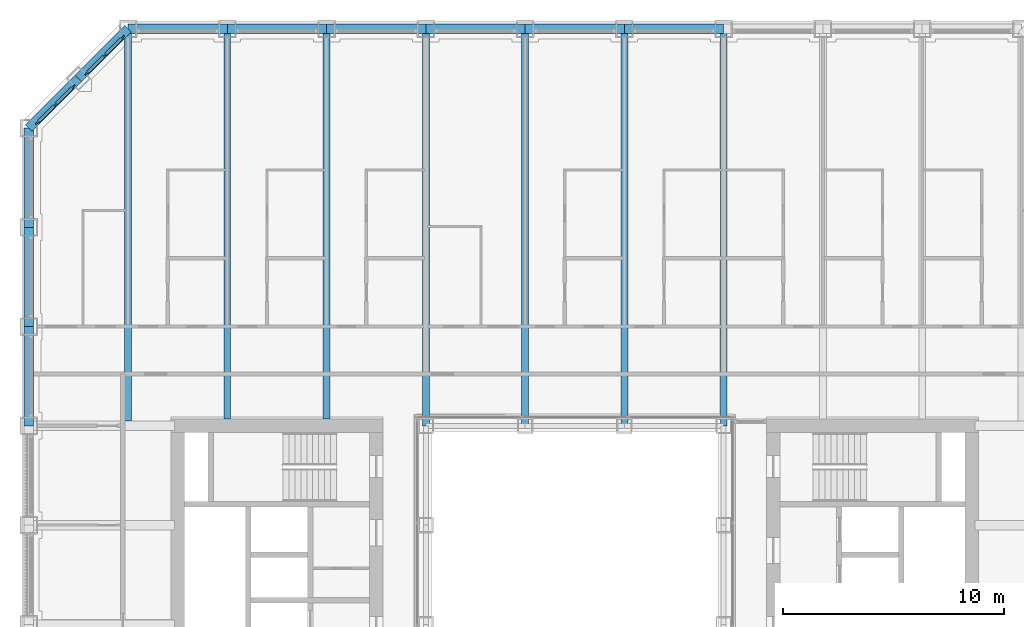
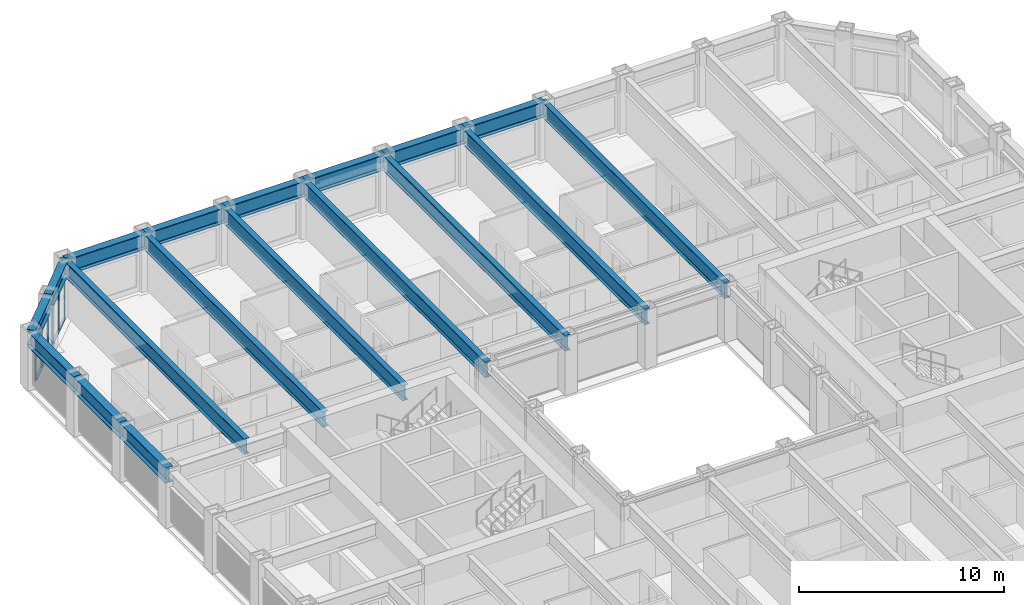
# One storey, part 6 of 21: 18 beams, 14 members, 2 elements without a shape of their own.
"""IFC4 building model written with IfcOpenShell, lengths in metres."""

import ifcopenshell
import ifcopenshell.guid

model = None  # the IFC model being written
_history = None  # IfcOwnerHistory: only IFC2X3 demands one
_inside = {}  # id of a spatial element -> (the spatial element, [elements in it])
_under = {}  # id of a project, library or spatial element -> (it, [spatial elements below it])
_declared = {}  # id of a project -> (the project, [libraries it declares])
_typed = {}  # id of a type object -> (the type object, [elements of that type])
_made_of = {}  # id of a material, layer set ... -> (it, [elements and type objects made of it])


def new_model(schema):
    """Start an empty IFC model of exactly this schema.

    Asked for "IFC4X3", IfcOpenShell would pick the latest addendum, in which some entities
    have other attributes; the version numbers below select the first issue.
    IFC2X3 requires an IfcOwnerHistory on every rooted entity: one is made here for all.
    """
    global model, _history
    if schema == "IFC4X3":
        model = ifcopenshell.file(schema_version=(4, 3, 0, 0))
    else:
        model = ifcopenshell.file(schema=schema)
    _inside.clear()
    _under.clear()
    _declared.clear()
    _typed.clear()
    _made_of.clear()
    _history = None
    if model.schema == "IFC2X3":
        org = make("IfcOrganization", Name="unknown")
        user = make(
            "IfcPersonAndOrganization",
            ThePerson=make("IfcPerson", FamilyName="unknown"),
            TheOrganization=org,
        )
        app = make(
            "IfcApplication",
            ApplicationDeveloper=org,
            Version="unknown",
            ApplicationFullName="unknown",
            ApplicationIdentifier="unknown",
        )
        _history = make(
            "IfcOwnerHistory",
            OwningUser=user,
            OwningApplication=app,
            ChangeAction="ADDED",
            CreationDate=0,
        )
    return model


def make(cls, **values):
    """One entity of the class cls with the attributes given. An attribute that is None is left unset."""
    return model.create_entity(
        cls, **{name: value for name, value in values.items() if value is not None}
    )


def rooted(cls, **values):
    """An entity with a GlobalId (a new one), such as an element, a storey or a relation."""
    return make(cls, GlobalId=ifcopenshell.guid.new(), OwnerHistory=_history, **values)


def si_unit(unit_type, name, prefix=None):
    """IfcSIUnit, for example si_unit("LENGTHUNIT", "METRE", prefix="MILLI")."""
    return make("IfcSIUnit", UnitType=unit_type, Prefix=prefix, Name=name)


def assignment(units):
    """IfcUnitAssignment: the units of a project."""
    return None if units is None else make("IfcUnitAssignment", Units=units)


def point(xyz):
    """IfcCartesianPoint."""
    return None if xyz is None else make("IfcCartesianPoint", Coordinates=xyz)


def direction(xyz):
    """IfcDirection."""
    return None if xyz is None else make("IfcDirection", DirectionRatios=xyz)


def frame(location, z_axis=None, x_axis=None):
    """IfcAxis2Placement3D, a coordinate frame: its origin and axes. An axis left out is left unset."""
    return make(
        "IfcAxis2Placement3D",
        Location=point(location),
        Axis=direction(z_axis),
        RefDirection=direction(x_axis),
    )


def frame_2d(location, x_axis=None):
    """IfcAxis2Placement2D, a coordinate frame in the plane: its origin and x axis."""
    return make(
        "IfcAxis2Placement2D", Location=point(location), RefDirection=direction(x_axis)
    )


def origin():
    """The frame at (0, 0, 0) with its axes left unset."""
    return frame((0.0, 0.0, 0.0))


def origin_2d():
    """The frame at (0, 0) in the plane with its x axis left unset."""
    return frame_2d((0.0, 0.0))


def place(relative_to, where):
    """IfcLocalPlacement: puts the frame where relative to a parent placement (None: the world)."""
    return make(
        "IfcLocalPlacement", PlacementRelTo=relative_to, RelativePlacement=where
    )


def context(
    kind, dimensions, precision=None, world=None, true_north=None, identifier=None
):
    """IfcGeometricRepresentationContext, for example the 3D "Model" context."""
    return make(
        "IfcGeometricRepresentationContext",
        ContextIdentifier=identifier,
        ContextType=kind,
        CoordinateSpaceDimension=dimensions,
        Precision=precision,
        WorldCoordinateSystem=world,
        TrueNorth=true_north,
    )


def subcontext(parent, identifier, kind, view, scale=None):
    """IfcGeometricRepresentationSubContext, for example "Body" below "Model"."""
    return make(
        "IfcGeometricRepresentationSubContext",
        ContextIdentifier=identifier,
        ContextType=kind,
        ParentContext=parent,
        TargetScale=scale,
        TargetView=view,
    )


def project(units=None, contexts=None):
    """IfcProject with its units and contexts."""
    return rooted(
        "IfcProject",
        Name="project",
        RepresentationContexts=contexts,
        UnitsInContext=assignment(units),
    )


def spatial(cls, under=None, at=None, **own):
    """A site, building, storey or space (cls), placed at a placement, below another one or the project."""
    s = rooted(cls, ObjectPlacement=at, **own)
    if under is not None:
        _under.setdefault(under.id(), (under, []))[1].append(s)
    return s


def profile(cls, at=None, kind="AREA", **sizes):
    """A parametric profile (cls). Its sizes go by their IFC names, for example OverallWidth=200.0."""
    return make(cls, ProfileType=kind, Position=at, **sizes)


def rectangle(**sizes):
    """IfcRectangleProfileDef."""
    return profile("IfcRectangleProfileDef", **sizes)


def i_section(**sizes):
    """IfcIShapeProfileDef."""
    return profile("IfcIShapeProfileDef", **sizes)


def extrude(swept, where, along, depth):
    """IfcExtrudedAreaSolid: the profile swept, set in the frame where, extruded along a direction by depth."""
    return make(
        "IfcExtrudedAreaSolid",
        SweptArea=swept,
        Position=where,
        ExtrudedDirection=direction(along),
        Depth=depth,
    )


def shape(context_of_items, identifier, shape_type, items):
    """IfcShapeRepresentation: the items that make up one representation, for example the "Body"."""
    return make(
        "IfcShapeRepresentation",
        ContextOfItems=context_of_items,
        RepresentationIdentifier=identifier,
        RepresentationType=shape_type,
        Items=items,
    )


def material(Name=None, Category=None):
    """IfcMaterial."""
    return make("IfcMaterial", Name=Name, Category=Category)


def material_profile(
    of_material, cross_section, Name=None, Category=None, Priority=None
):
    """IfcMaterialProfile: a cross section and its material."""
    return make(
        "IfcMaterialProfile",
        Name=Name,
        Material=of_material,
        Profile=cross_section,
        Priority=Priority,
        Category=Category,
    )


def profile_set(profiles, Name=None, composite=None):
    """IfcMaterialProfileSet."""
    return make(
        "IfcMaterialProfileSet",
        Name=Name,
        MaterialProfiles=profiles,
        CompositeProfile=composite,
    )


def made_of(thing, what):
    """Note that an element or type object is made of a material, layer set ...; save() writes the relation."""
    if what is not None:
        _made_of.setdefault(what.id(), (what, []))[1].append(thing)
    return thing


def type_object(cls, material=None, **own):
    """A type object (cls), such as IfcWallType, which elements share."""
    return made_of(rooted(cls, **own), material)


def element(
    cls,
    number,
    at=None,
    inside=None,
    cuts=None,
    type_object=None,
    material=None,
    context=None,
    identifier="Body",
    shape_type=None,
    held_by="IfcProductDefinitionShape",
    body=None,
    shapes=None,
    **own,
):
    """One element of the class cls, such as IfcWall. Its Tag is "e" and its number.

    at: its placement. inside: the storey or other place that contains it. cuts: it is an
    opening in that element (IfcRelVoidsElement). A single representation is given by context,
    identifier, shape_type and body (its items); several are given by shapes. held_by: the class
    of the entity that holds the representations. save() writes the other relations.
    """
    e = rooted(cls, Tag="e%d" % number, ObjectPlacement=at, **own)
    if body is not None:
        shapes = [shape(context, identifier, shape_type, body)]
    if shapes is not None:
        e.Representation = make(held_by, Representations=shapes)
    if inside is not None:
        _inside.setdefault(inside.id(), (inside, []))[1].append(e)
    if cuts is not None:
        rooted(
            "IfcRelVoidsElement", RelatingBuildingElement=cuts, RelatedOpeningElement=e
        )
    if type_object is not None:
        _typed.setdefault(type_object.id(), (type_object, []))[1].append(e)
    return made_of(e, material)


def aggregate(whole, parts):
    """IfcRelAggregates: a whole, such as a stair, and the parts it consists of."""
    return rooted("IfcRelAggregates", RelatingObject=whole, RelatedObjects=parts)


def save(model, path):
    """Write the relations noted so far, then the file.

    IfcRelAggregates (storeys below a building ...), IfcRelContainedInSpatialStructure (elements
    in a storey), IfcRelDefinesByType, IfcRelAssociatesMaterial and IfcRelDeclares: one each for
    every whole, place, type object, material and project.
    """
    for whole, parts in _under.values():
        aggregate(whole, parts)
    for where, things in _inside.values():
        rooted(
            "IfcRelContainedInSpatialStructure",
            RelatedElements=things,
            RelatingStructure=where,
        )
    for kind, things in _typed.values():
        rooted("IfcRelDefinesByType", RelatedObjects=things, RelatingType=kind)
    for what, things in _made_of.values():
        rooted("IfcRelAssociatesMaterial", RelatedObjects=things, RelatingMaterial=what)
    for by, libraries in _declared.values():
        rooted("IfcRelDeclares", RelatingContext=by, RelatedDefinitions=libraries)
    model.write(path)


model = new_model("IFC4")

# Units and contexts
model_context = context("Model", 3, precision=1e-05, world=origin(), true_north=direction((0.0, 1.0)))
body_context = subcontext(model_context, "Body", "Model", "MODEL_VIEW")
ifc_project = project(units=[si_unit("LENGTHUNIT", "METRE"), si_unit("AREAUNIT", "SQUARE_METRE"), si_unit("VOLUMEUNIT", "CUBIC_METRE"), si_unit("PLANEANGLEUNIT", "RADIAN"), si_unit("MASSUNIT", "GRAM", prefix="KILO")], contexts=[model_context])

# Site, building, storey
site_placement = place(None, origin())
site = spatial("IfcSite", under=ifc_project, at=site_placement, CompositionType="ELEMENT")
building_placement = place(site_placement, origin())
building = spatial("IfcBuilding", under=site, at=building_placement, Name="Msasa Ring Tower", CompositionType="ELEMENT")
storey_placement = place(building_placement, frame((0.0, 0.0, 75.5)))
storey = spatial("IfcBuildingStorey", under=building, at=storey_placement, Name="L19", CompositionType="ELEMENT", Elevation=75.5)

# Curtain wall, members
ifc_material_1 = material(Name="Aluminium curtain wall with clear glass", Category="aluminium")
curtain_wall_type = type_object("IfcCurtainWallType", Name="CW-C CHAMFER CORNER CURTAIN WALL", PredefinedType="NOTDEFINED", material=ifc_material_1)
curtain_wall_1_placement = place(storey_placement, origin())
curtain_wall_1 = element("IfcCurtainWall", 1, at=curtain_wall_1_placement, inside=storey, type_object=curtain_wall_type, Name="Chamfer corner curtain wall NW L19", PredefinedType="NOTDEFINED")
ifc_material_2 = material(Name="Aluminium mullion", Category="aluminium")
ifc_material_profile_1 = material_profile(ifc_material_2, rectangle(XDim=0.06494140625, YDim=0.179931640625, at=origin_2d()), Name="AL 65x180")
ifc_profile_set_1 = profile_set([ifc_material_profile_1], Name="Aluminium mullion")
member_type_1 = type_object("IfcMemberType", Name="CW-C MULLION 65x180", PredefinedType="MULLION", material=ifc_profile_set_1)
member_1_placement = place(storey_placement, frame((-22.73876953125, 22.119873046875, 0.0), z_axis=(0.0, 0.0, 1.0), x_axis=(0.707106781187, -0.707106781187, 0.0)))
member_1 = element("IfcMember", 2, at=member_1_placement, type_object=member_type_1, Name="CW-C mullion 1", PredefinedType="MULLION", context=body_context, shape_type="SweptSolid", body=[
    extrude(rectangle(XDim=0.06494140625, YDim=0.179931640625, at=origin_2d()), origin(), (0.0, 0.0, 1.0), 2.37890625),
])
member_2_placement = place(storey_placement, frame((-23.55419921875, 21.30419921875, 0.0), z_axis=(0.0, 0.0, 1.0), x_axis=(0.707106781187, -0.707106781187, 0.0)))
member_2 = element("IfcMember", 3, at=member_2_placement, type_object=member_type_1, Name="CW-C mullion 2", PredefinedType="MULLION", context=body_context, shape_type="SweptSolid", body=[
    extrude(rectangle(XDim=0.06494140625, YDim=0.179931640625, at=origin_2d()), origin(), (0.0, 0.0, 1.0), 2.37890625),
])
member_3_placement = place(storey_placement, frame((-24.369873046875, 20.48876953125, 0.0), z_axis=(0.0, 0.0, 1.0), x_axis=(0.707106781187, -0.707106781187, 0.0)))
member_3 = element("IfcMember", 4, at=member_3_placement, type_object=member_type_1, Name="CW-C mullion 3", PredefinedType="MULLION", context=body_context, shape_type="SweptSolid", body=[
    extrude(rectangle(XDim=0.06494140625, YDim=0.179931640625, at=origin_2d()), origin(), (0.0, 0.0, 1.0), 2.37890625),
])

curtain_wall_2_placement = place(storey_placement, origin())
curtain_wall_2 = element("IfcCurtainWall", 5, at=curtain_wall_2_placement, inside=storey, type_object=curtain_wall_type, Name="Chamfer corner curtain wall NW L19", PredefinedType="NOTDEFINED")
member_4_placement = place(storey_placement, frame((-20.48876953125, 24.369873046875, 0.0), z_axis=(0.0, 0.0, 1.0), x_axis=(0.707106781187, -0.707106781187, 0.0)))
member_4 = element("IfcMember", 6, at=member_4_placement, type_object=member_type_1, Name="CW-C mullion 1", PredefinedType="MULLION", context=body_context, shape_type="SweptSolid", body=[
    extrude(rectangle(XDim=0.06494140625, YDim=0.179931640625, at=origin_2d()), origin(), (0.0, 0.0, 1.0), 2.37890625),
])
member_5_placement = place(storey_placement, frame((-21.30419921875, 23.55419921875, 0.0), z_axis=(0.0, 0.0, 1.0), x_axis=(0.707106781187, -0.707106781187, 0.0)))
member_5 = element("IfcMember", 7, at=member_5_placement, type_object=member_type_1, Name="CW-C mullion 2", PredefinedType="MULLION", context=body_context, shape_type="SweptSolid", body=[
    extrude(rectangle(XDim=0.06494140625, YDim=0.179931640625, at=origin_2d()), origin(), (0.0, 0.0, 1.0), 2.37890625),
])
member_6_placement = place(storey_placement, frame((-22.119873046875, 22.73876953125, 0.0), z_axis=(0.0, 0.0, 1.0), x_axis=(0.707106781187, -0.707106781187, 0.0)))
member_6 = element("IfcMember", 8, at=member_6_placement, type_object=member_type_1, Name="CW-C mullion 3", PredefinedType="MULLION", context=body_context, shape_type="SweptSolid", body=[
    extrude(rectangle(XDim=0.06494140625, YDim=0.179931640625, at=origin_2d()), origin(), (0.0, 0.0, 1.0), 2.37890625),
])

# Member
ifc_material_3 = material(Name="Aluminium transom", Category="aluminium")
ifc_material_profile_2 = material_profile(ifc_material_3, rectangle(XDim=0.139892578125, YDim=0.06494140625, at=origin_2d()), Name="AL 65x140")
ifc_profile_set_2 = profile_set([ifc_material_profile_2], Name="Aluminium transom")
member_type_2 = type_object("IfcMemberType", Name="CW-C TRANSOM 65x140", PredefinedType="USERDEFINED", material=ifc_profile_set_2)
member_7_placement = place(storey_placement, frame((-22.76171875, 22.096923828125, 0.032470703125), z_axis=(-0.707106781187, -0.707106781187, 0.0), x_axis=(0.707106781187, -0.707106781187, 0.0)))
member_7 = element("IfcMember", 9, at=member_7_placement, type_object=member_type_2, Name="CW-C transom 1.1", ObjectType="TRANSOM", PredefinedType="USERDEFINED", context=body_context, shape_type="SweptSolid", body=[
    extrude(rectangle(XDim=0.139892578125, YDim=0.06494140625, at=origin_2d()), origin(), (0.0, 0.0, 1.0), 1.08837890625),
])

member_8_placement = place(storey_placement, frame((-22.76171875, 22.096923828125, 2.346435546875), z_axis=(-0.707106781187, -0.707106781187, 0.0), x_axis=(0.707106781187, -0.707106781187, 0.0)))
member_8 = element("IfcMember", 10, at=member_8_placement, type_object=member_type_2, Name="CW-C transom 1.2", ObjectType="TRANSOM", PredefinedType="USERDEFINED", context=body_context, shape_type="SweptSolid", body=[
    extrude(rectangle(XDim=0.139892578125, YDim=0.06494140625, at=origin_2d()), origin(), (0.0, 0.0, 1.0), 1.08837890625),
])

member_9_placement = place(storey_placement, frame((-23.577392578125, 21.28125, 0.032470703125), z_axis=(-0.707106781187, -0.707106781187, 0.0), x_axis=(0.707106781187, -0.707106781187, 0.0)))
member_9 = element("IfcMember", 11, at=member_9_placement, type_object=member_type_2, Name="CW-C transom 2.1", ObjectType="TRANSOM", PredefinedType="USERDEFINED", context=body_context, shape_type="SweptSolid", body=[
    extrude(rectangle(XDim=0.139892578125, YDim=0.06494140625, at=origin_2d()), origin(), (0.0, 0.0, 1.0), 1.08837890625),
])

member_10_placement = place(storey_placement, frame((-23.577392578125, 21.28125, 2.346435546875), z_axis=(-0.707106781187, -0.707106781187, 0.0), x_axis=(0.707106781187, -0.707106781187, 0.0)))
member_10 = element("IfcMember", 12, at=member_10_placement, type_object=member_type_2, Name="CW-C transom 2.2", ObjectType="TRANSOM", PredefinedType="USERDEFINED", context=body_context, shape_type="SweptSolid", body=[
    extrude(rectangle(XDim=0.139892578125, YDim=0.06494140625, at=origin_2d()), origin(), (0.0, 0.0, 1.0), 1.08837890625),
])

aggregate(curtain_wall_1, [member_1, member_2, member_3, member_7, member_8, member_9, member_10])

member_11_placement = place(storey_placement, frame((-20.51171875, 24.346923828125, 0.032470703125), z_axis=(-0.707106781187, -0.707106781187, 0.0), x_axis=(0.707106781187, -0.707106781187, 0.0)))
member_11 = element("IfcMember", 13, at=member_11_placement, type_object=member_type_2, Name="CW-C transom 1.1", ObjectType="TRANSOM", PredefinedType="USERDEFINED", context=body_context, shape_type="SweptSolid", body=[
    extrude(rectangle(XDim=0.139892578125, YDim=0.06494140625, at=origin_2d()), origin(), (0.0, 0.0, 1.0), 1.08837890625),
])

member_12_placement = place(storey_placement, frame((-20.51171875, 24.346923828125, 2.346435546875), z_axis=(-0.707106781187, -0.707106781187, 0.0), x_axis=(0.707106781187, -0.707106781187, 0.0)))
member_12 = element("IfcMember", 14, at=member_12_placement, type_object=member_type_2, Name="CW-C transom 1.2", ObjectType="TRANSOM", PredefinedType="USERDEFINED", context=body_context, shape_type="SweptSolid", body=[
    extrude(rectangle(XDim=0.139892578125, YDim=0.06494140625, at=origin_2d()), origin(), (0.0, 0.0, 1.0), 1.08837890625),
])

member_13_placement = place(storey_placement, frame((-21.327392578125, 23.53125, 0.032470703125), z_axis=(-0.707106781187, -0.707106781187, 0.0), x_axis=(0.707106781187, -0.707106781187, 0.0)))
member_13 = element("IfcMember", 15, at=member_13_placement, type_object=member_type_2, Name="CW-C transom 2.1", ObjectType="TRANSOM", PredefinedType="USERDEFINED", context=body_context, shape_type="SweptSolid", body=[
    extrude(rectangle(XDim=0.139892578125, YDim=0.06494140625, at=origin_2d()), origin(), (0.0, 0.0, 1.0), 1.08837890625),
])

member_14_placement = place(storey_placement, frame((-21.327392578125, 23.53125, 2.346435546875), z_axis=(-0.707106781187, -0.707106781187, 0.0), x_axis=(0.707106781187, -0.707106781187, 0.0)))
member_14 = element("IfcMember", 16, at=member_14_placement, type_object=member_type_2, Name="CW-C transom 2.2", ObjectType="TRANSOM", PredefinedType="USERDEFINED", context=body_context, shape_type="SweptSolid", body=[
    extrude(rectangle(XDim=0.139892578125, YDim=0.06494140625, at=origin_2d()), origin(), (0.0, 0.0, 1.0), 1.08837890625),
])

aggregate(curtain_wall_2, [member_4, member_5, member_6, member_11, member_12, member_13, member_14])

# Beams
ifc_material_4 = material(Name="Steel S355", Category="steel")
ifc_material_profile_3 = material_profile(ifc_material_4, i_section(OverallWidth=0.3076171875, OverallDepth=0.926513671875, WebThickness=0.01953125, FlangeThickness=0.031982421875, FilletRadius=0.01904296875, at=origin_2d()), Name="UB 914x305x289")
ifc_profile_set_3 = profile_set([ifc_material_profile_3], Name="Steel S355")
beam_type_1 = type_object("IfcBeamType", Name="FB3 UB 914x305x289", PredefinedType="BEAM", material=ifc_profile_set_3)
beam_placement = place(storey_placement, frame((-20.25, 24.75, 2.836669921875), z_axis=(0.0, -1.0, 0.0), x_axis=(1.0, 0.0, 0.0)))
element("IfcBeam", 17, at=beam_placement, inside=storey, type_object=beam_type_1, Name="Floor beam N-20.25 under L20", PredefinedType="BEAM", context=body_context, shape_type="SweptSolid", body=[
    extrude(i_section(OverallWidth=0.3076171875, OverallDepth=0.926513671875, WebThickness=0.01953125, FlangeThickness=0.031982421875, FilletRadius=0.01904296875, at=origin_2d()), origin(), (0.0, 0.0, 1.0), 17.789794921875),
])
for number, where, z_axis, x_axis, name in (
    (18, (-15.75, 24.75, 2.836669921875), (0.0, -1.0, 0.0), (1.0, 0.0, 0.0), "Floor beam N-15.75 under L20"),
    (19, (-11.25, 24.75, 2.836669921875), (0.0, -1.0, 0.0), (1.0, 0.0, 0.0), "Floor beam N-11.25 under L20"),
):
    element("IfcBeam", number, at=place(storey_placement, frame(where, z_axis=z_axis, x_axis=x_axis)), inside=storey, type_object=beam_type_1, Name=name, PredefinedType="BEAM", context=body_context, shape_type="SweptSolid", body=[
        extrude(i_section(OverallWidth=0.3076171875, OverallDepth=0.926513671875, WebThickness=0.01953125, FlangeThickness=0.031982421875, FilletRadius=0.01904296875, at=origin_2d()), origin(), (0.0, 0.0, 1.0), 17.699951171875),
    ])
for number, where, z_axis, x_axis, name in (
    (20, (-6.75, 24.75, 2.836669921875), (0.0, -1.0, 0.0), (1.0, 0.0, 0.0), "Floor beam N-6.75 under L20"),
    (21, (-2.25, 24.75, 2.836669921875), (0.0, -1.0, 0.0), (1.0, 0.0, 0.0), "Floor beam N-2.25 under L20"),
    (22, (2.25, 24.75, 2.836669921875), (0.0, -1.0, 0.0), (1.0, 0.0, 0.0), "Floor beam N+2.25 under L20"),
    (23, (6.75, 24.75, 2.836669921875), (0.0, -1.0, 0.0), (1.0, 0.0, 0.0), "Floor beam N+6.75 under L20"),
):
    element("IfcBeam", number, at=place(storey_placement, frame(where, z_axis=z_axis, x_axis=x_axis)), inside=storey, type_object=beam_type_1, Name=name, PredefinedType="BEAM", context=body_context, shape_type="SweptSolid", body=[
        extrude(i_section(OverallWidth=0.3076171875, OverallDepth=0.926513671875, WebThickness=0.01953125, FlangeThickness=0.031982421875, FilletRadius=0.01904296875, at=origin_2d()), origin(), (0.0, 0.0, 1.0), 18.0),
    ])
ifc_material_5 = material(Name="Steel S355", Category="steel")
ifc_material_profile_4 = material_profile(ifc_material_5, i_section(OverallWidth=0.42041015625, OverallDepth=0.9208984375, WebThickness=0.021484375, FlangeThickness=0.03662109375, FilletRadius=0.024169921875, at=origin_2d()), Name="UB 914x419x388")
ifc_profile_set_4 = profile_set([ifc_material_profile_4], Name="Steel S355")
beam_type_2 = type_object("IfcBeamType", Name="SB1 UB 914x419x388", PredefinedType="SPANDREL", material=ifc_profile_set_4)
for number, where, z_axis, x_axis, name in (
    (24, (6.75, 24.75, 2.839599609375), (-1.0, 0.0, 0.0), (0.0, -1.0, 0.0), "Spandrel N+6.75 to N+2.25 under L20"),
    (25, (2.25, 24.75, 2.839599609375), (-1.0, 0.0, 0.0), (0.0, -1.0, 0.0), "Spandrel N+2.25 to N-2.25 under L20"),
    (26, (-2.25, 24.75, 2.839599609375), (-1.0, 0.0, 0.0), (0.0, -1.0, 0.0), "Spandrel N-2.25 to N-6.75 under L20"),
    (27, (-6.75, 24.75, 2.839599609375), (-1.0, 0.0, 0.0), (0.0, -1.0, 0.0), "Spandrel N-6.75 to N-11.25 under L20"),
    (28, (-11.25, 24.75, 2.839599609375), (-1.0, 0.0, 0.0), (0.0, -1.0, 0.0), "Spandrel N-11.25 to N-15.75 under L20"),
    (29, (-15.75, 24.75, 2.839599609375), (-1.0, 0.0, 0.0), (0.0, -1.0, 0.0), "Spandrel N-15.75 to N-20.25 under L20"),
):
    element("IfcBeam", number, at=place(storey_placement, frame(where, z_axis=z_axis, x_axis=x_axis)), inside=storey, type_object=beam_type_2, Name=name, PredefinedType="SPANDREL", context=body_context, shape_type="SweptSolid", body=[
        extrude(i_section(OverallWidth=0.42041015625, OverallDepth=0.9208984375, WebThickness=0.021484375, FlangeThickness=0.03662109375, FilletRadius=0.024169921875, at=origin_2d()), origin(), (0.0, 0.0, 1.0), 4.5),
    ])
for number, where, z_axis, x_axis, name in (
    (30, (-20.25, 24.75, 2.839599609375), (-0.707106781187, -0.707106781187, 0.0), (0.707106781187, -0.707106781187, 0.0), "Spandrel N-20.25 to NW under L20"),
    (31, (-22.5, 22.5, 2.839599609375), (-0.707106781187, -0.707106781187, 0.0), (0.707106781187, -0.707106781187, 0.0), "Spandrel NW to W+20.25 under L20"),
):
    element("IfcBeam", number, at=place(storey_placement, frame(where, z_axis=z_axis, x_axis=x_axis)), inside=storey, type_object=beam_type_2, Name=name, PredefinedType="SPANDREL", context=body_context, shape_type="SweptSolid", body=[
        extrude(i_section(OverallWidth=0.42041015625, OverallDepth=0.9208984375, WebThickness=0.021484375, FlangeThickness=0.03662109375, FilletRadius=0.024169921875, at=origin_2d()), origin(), (0.0, 0.0, 1.0), 3.181884765625),
    ])
for number, where, z_axis, x_axis, name in (
    (32, (-24.75, 20.25, 2.839599609375), (0.0, -1.0, 0.0), (1.0, 0.0, 0.0), "Spandrel W+20.25 to W+15.75 under L20"),
    (33, (-24.75, 15.75, 2.839599609375), (0.0, -1.0, 0.0), (1.0, 0.0, 0.0), "Spandrel W+15.75 to W+11.25 under L20"),
    (34, (-24.75, 11.25, 2.839599609375), (0.0, -1.0, 0.0), (1.0, 0.0, 0.0), "Spandrel W+11.25 to W+6.75 under L20"),
):
    element("IfcBeam", number, at=place(storey_placement, frame(where, z_axis=z_axis, x_axis=x_axis)), inside=storey, type_object=beam_type_2, Name=name, PredefinedType="SPANDREL", context=body_context, shape_type="SweptSolid", body=[
        extrude(i_section(OverallWidth=0.42041015625, OverallDepth=0.9208984375, WebThickness=0.021484375, FlangeThickness=0.03662109375, FilletRadius=0.024169921875, at=origin_2d()), origin(), (0.0, 0.0, 1.0), 4.5),
    ])

save(model, "model.ifc")
